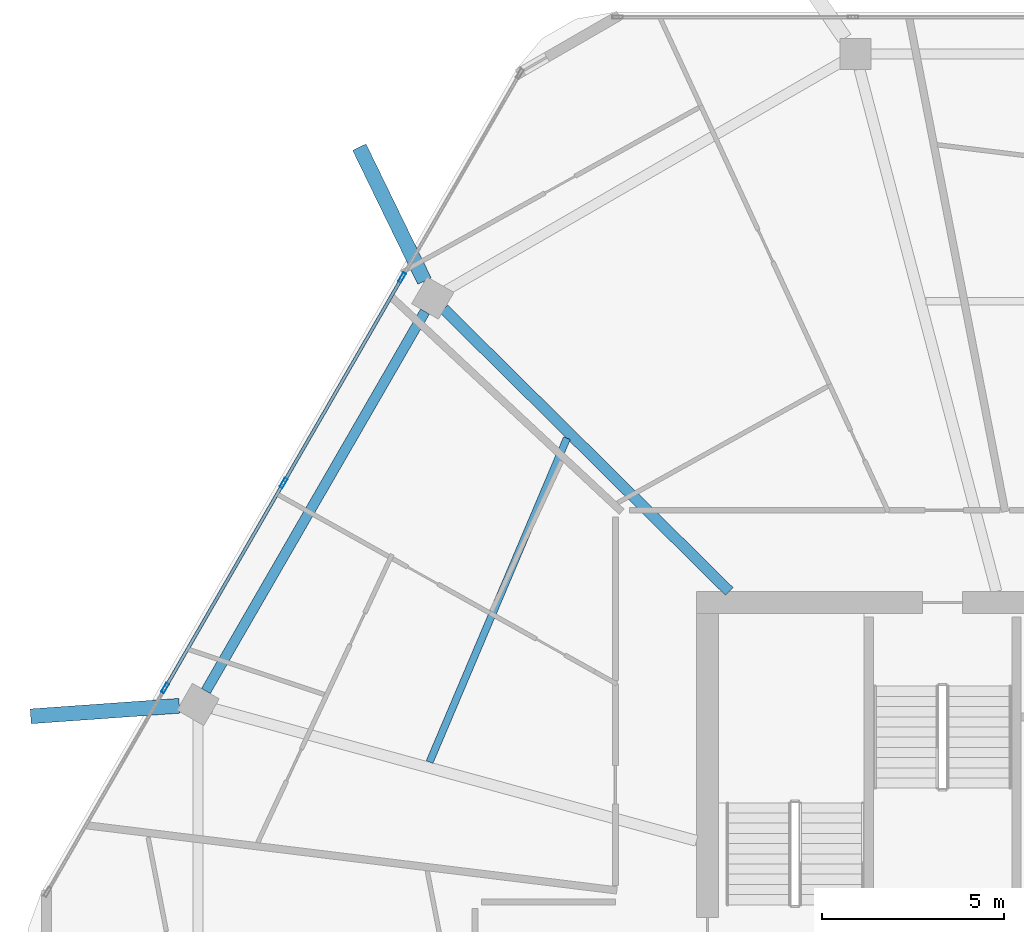
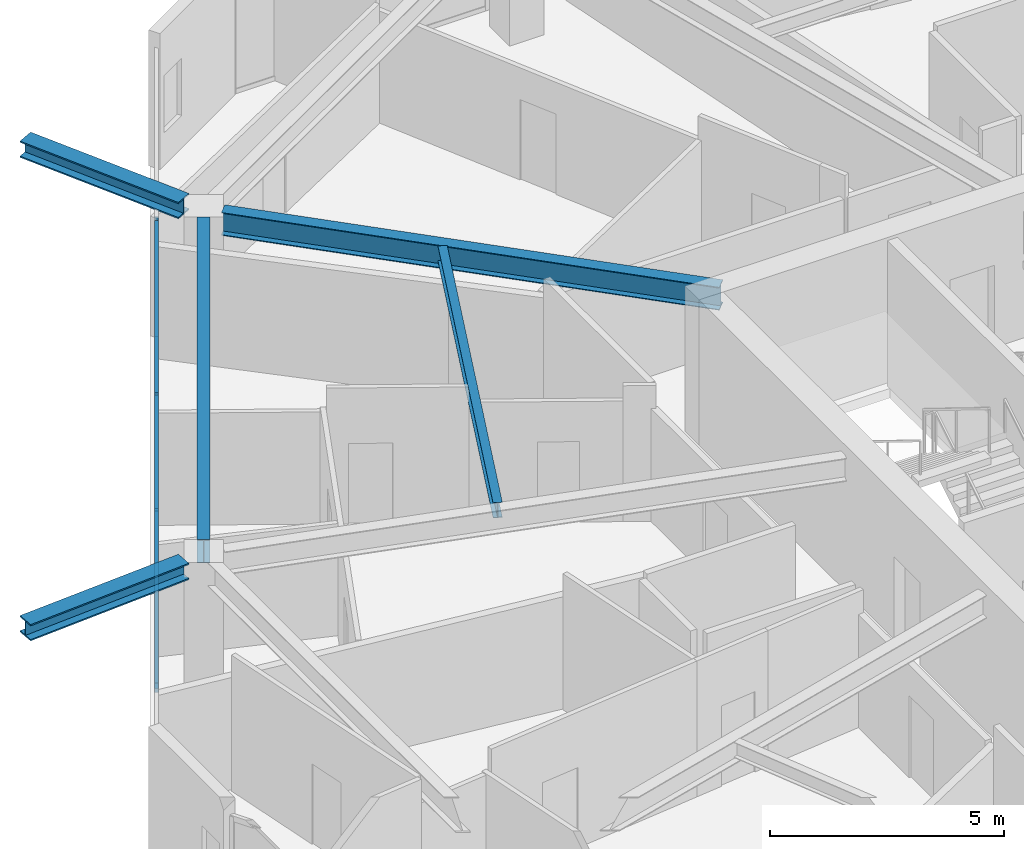
# One storey, part 11 of 26: 7 members, 5 beams, 1 element without a shape of its own.
"""IFC4 building model written with IfcOpenShell, lengths in metres."""

from ifc_helpers import new_model, si_unit, direction, frame, origin, origin_2d, place, context, subcontext, project, spatial, hollow_rectangle, i_section, extrude, material, material_profile, profile_set, type_object, element, aggregate, save


model = new_model("IFC4")

# Units and contexts
model_context = context("Model", 3, precision=1e-05, world=origin(), true_north=direction((0.0, 1.0)))
body_context = subcontext(model_context, "Body", "Model", "MODEL_VIEW")
ifc_project = project(units=[si_unit("LENGTHUNIT", "METRE"), si_unit("AREAUNIT", "SQUARE_METRE"), si_unit("VOLUMEUNIT", "CUBIC_METRE"), si_unit("PLANEANGLEUNIT", "RADIAN"), si_unit("MASSUNIT", "GRAM", prefix="KILO")], contexts=[model_context])

# Site, building, storey
site_placement = place(None, origin())
site = spatial("IfcSite", under=ifc_project, at=site_placement, CompositionType="ELEMENT")
building_placement = place(site_placement, origin())
building = spatial("IfcBuilding", under=site, at=building_placement, Name="Zuhravey Tower", CompositionType="ELEMENT")
storey_placement = place(building_placement, frame((0.0, 0.0, 273.0)))
storey = spatial("IfcBuildingStorey", under=building, at=storey_placement, Name="L69", CompositionType="ELEMENT", Elevation=273.0)

# Curtain wall, members
ifc_material_1 = material(Name="Thermally broken anodised aluminium", Category="aluminium")
curtain_wall_type = type_object("IfcCurtainWallType", Name="Zone 3-4 High-Rise Curtain Wall CW4", PredefinedType="NOTDEFINED", material=ifc_material_1)
curtain_wall_placement = place(storey_placement, origin())
curtain_wall = element("IfcCurtainWall", 1, at=curtain_wall_placement, inside=storey, type_object=curtain_wall_type, Name="L69 CW4 CW-L69-F3-1", PredefinedType="NOTDEFINED")
ifc_material_2 = material(Name="Anodised aluminium", Category="aluminium")
ifc_material_profile_1 = material_profile(ifc_material_2, hollow_rectangle(XDim=0.090087890625, YDim=0.284912109375, WallThickness=0.0048828125, at=origin_2d()), Name="ALU-RHS-90x285x5")
ifc_profile_set_1 = profile_set([ifc_material_profile_1], Name="Anodised aluminium")
member_type_1 = type_object("IfcMemberType", Name="Curtain-Wall Mullion 90x180", PredefinedType="MULLION", material=ifc_profile_set_1)
member_1_placement = place(storey_placement, frame((10.608154296875, 39.147216796875, 0.0), z_axis=(0.0, 0.0, 1.0), x_axis=(-0.866024851021, 0.500000957414, 0.0)))
member_1 = element("IfcMember", 2, at=member_1_placement, type_object=member_type_1, Name="CW4 mullion 2", PredefinedType="MULLION", context=body_context, shape_type="SweptSolid", body=[
    extrude(hollow_rectangle(XDim=0.090087890625, YDim=0.284912109375, WallThickness=0.0048828125, at=origin_2d()), origin(), (0.0, 0.0, 1.0), 3.1220703125),
])
member_2_placement = place(storey_placement, frame((13.861328125, 44.78173828125, 0.0), z_axis=(0.0, 0.0, 1.0), x_axis=(-0.866024851021, 0.500000957414, 0.0)))
member_2 = element("IfcMember", 3, at=member_2_placement, type_object=member_type_1, Name="CW4 mullion 3", PredefinedType="MULLION", context=body_context, shape_type="SweptSolid", body=[
    extrude(hollow_rectangle(XDim=0.090087890625, YDim=0.284912109375, WallThickness=0.0048828125, at=origin_2d()), origin(), (0.0, 0.0, 1.0), 3.1220703125),
])
member_3_placement = place(storey_placement, frame((17.114501953125, 50.41650390625, 0.0), z_axis=(0.0, 0.0, 1.0), x_axis=(-0.866024851021, 0.500000957414, 0.0)))
member_3 = element("IfcMember", 4, at=member_3_placement, type_object=member_type_1, Name="CW4 mullion 4", PredefinedType="MULLION", context=body_context, shape_type="SweptSolid", body=[
    extrude(hollow_rectangle(XDim=0.090087890625, YDim=0.284912109375, WallThickness=0.0048828125, at=origin_2d()), origin(), (0.0, 0.0, 1.0), 3.1220703125),
])
ifc_material_profile_2 = material_profile(ifc_material_2, hollow_rectangle(XDim=0.090087890625, YDim=0.14990234375, WallThickness=0.0048828125, at=origin_2d()), Name="ALU-RHS-90x150x5")
ifc_profile_set_2 = profile_set([ifc_material_profile_2], Name="Anodised aluminium")
member_type_2 = type_object("IfcMemberType", Name="Curtain-Wall Transom 90x150", PredefinedType="USERDEFINED", material=ifc_profile_set_2)
member_4_placement = place(storey_placement, frame((10.630615234375, 39.18603515625, 0.044921875), z_axis=(0.499998017366, 0.866026548456, 0.0), x_axis=(-0.866026548456, 0.499998017366, 0.0)))
member_4 = element("IfcMember", 5, at=member_4_placement, type_object=member_type_2, Name="CW4 transom 2.1", ObjectType="TRANSOM", PredefinedType="USERDEFINED", context=body_context, shape_type="SweptSolid", body=[
    extrude(hollow_rectangle(XDim=0.090087890625, YDim=0.14990234375, WallThickness=0.0048828125, at=origin_2d()), origin(), (0.0, 0.0, 1.0), 6.41650390625),
])
member_5_placement = place(storey_placement, frame((10.630615234375, 39.18603515625, 3.076904296875), z_axis=(0.499998017366, 0.866026548456, 0.0), x_axis=(-0.866026548456, 0.499998017366, 0.0)))
member_5 = element("IfcMember", 6, at=member_5_placement, type_object=member_type_2, Name="CW4 transom 2.2", ObjectType="TRANSOM", PredefinedType="USERDEFINED", context=body_context, shape_type="SweptSolid", body=[
    extrude(hollow_rectangle(XDim=0.090087890625, YDim=0.14990234375, WallThickness=0.0048828125, at=origin_2d()), origin(), (0.0, 0.0, 1.0), 6.41650390625),
])
member_6_placement = place(storey_placement, frame((13.8837890625, 44.82080078125, 0.044921875), z_axis=(0.500014493347, 0.866017035885, 0.0), x_axis=(-0.866017035885, 0.500014493347, 0.0)))
member_6 = element("IfcMember", 7, at=member_6_placement, type_object=member_type_2, Name="CW4 transom 3.1", ObjectType="TRANSOM", PredefinedType="USERDEFINED", context=body_context, shape_type="SweptSolid", body=[
    extrude(hollow_rectangle(XDim=0.090087890625, YDim=0.14990234375, WallThickness=0.0048828125, at=origin_2d()), origin(), (0.0, 0.0, 1.0), 6.416259765625),
])
member_7_placement = place(storey_placement, frame((13.8837890625, 44.82080078125, 3.076904296875), z_axis=(0.500014493347, 0.866017035885, 0.0), x_axis=(-0.866017035885, 0.500014493347, 0.0)))
member_7 = element("IfcMember", 8, at=member_7_placement, type_object=member_type_2, Name="CW4 transom 3.2", ObjectType="TRANSOM", PredefinedType="USERDEFINED", context=body_context, shape_type="SweptSolid", body=[
    extrude(hollow_rectangle(XDim=0.090087890625, YDim=0.14990234375, WallThickness=0.0048828125, at=origin_2d()), origin(), (0.0, 0.0, 1.0), 6.416259765625),
])
aggregate(curtain_wall, [member_1, member_2, member_3, member_4, member_5, member_6, member_7])

# Beams
ifc_material_3 = material(Name="Steel SM460", Category="steel")
ifc_material_profile_3 = material_profile(ifc_material_3, i_section(OverallWidth=0.406982421875, OverallDepth=0.427978515625, WebThickness=0.02001953125, FlangeThickness=0.034912109375, at=origin_2d()), Name="H-428x407x20x35")
ifc_profile_set_3 = profile_set([ifc_material_profile_3], Name="Steel SM460")
beam_type_1 = type_object("IfcBeamType", Name="Exoskeleton Node Tie Beam H428x407", PredefinedType="BEAM", material=ifc_profile_set_3)
for number, where, z_axis, x_axis, name in (
    (9, (17.730224609375, 50.319580078125, 3.3359375), (-0.437614415543, 0.899162734609, 0.0), (-0.899162734609, -0.437614415543, 0.0), "L69 Exoskeleton Node Tie NT1-05"),
    (10, (10.999755859375, 38.662353515625, 3.3359375), (-0.997503944526, -0.070610768692, 0.0), (0.070610768692, -0.997503944526, 0.0), "L69 Exoskeleton Node Tie NT1-06"),
):
    element("IfcBeam", number, at=place(storey_placement, frame(where, z_axis=z_axis, x_axis=x_axis)), inside=storey, type_object=beam_type_1, Name=name, PredefinedType="BEAM", context=body_context, shape_type="SweptSolid", body=[
        extrude(i_section(OverallWidth=0.406982421875, OverallDepth=0.427978515625, WebThickness=0.02001953125, FlangeThickness=0.034912109375, at=origin_2d()), origin(), (0.0, 0.0, 1.0), 4.09033203125),
    ])
ifc_material_4 = material(Name="Steel SM355", Category="steel")
ifc_material_profile_4 = material_profile(ifc_material_4, i_section(OverallWidth=0.280029296875, OverallDepth=0.6201171875, WebThickness=0.011962890625, FlangeThickness=0.02001953125, at=origin_2d()), Name="H-620x280x12x20")
ifc_profile_set_4 = profile_set([ifc_material_profile_4], Name="Steel SM355")
beam_type_2 = type_object("IfcBeamType", Name="Perimeter Ring Beam H620x280", PredefinedType="BEAM", material=ifc_profile_set_4)
beam_1_placement = place(storey_placement, frame((17.742431640625, 49.484130859375, 3.239990234375), z_axis=(-0.500005971936, -0.866021955858, 0.0), x_axis=(0.866021955858, -0.500005971936, 0.0)))
element("IfcBeam", 11, at=beam_1_placement, inside=storey, type_object=beam_type_2, Name="L69 PB3 BM-L69-PB-05", PredefinedType="BEAM", context=body_context, shape_type="SweptSolid", body=[
    extrude(i_section(OverallWidth=0.280029296875, OverallDepth=0.6201171875, WebThickness=0.011962890625, FlangeThickness=0.02001953125, at=origin_2d()), origin(), (0.0, 0.0, 1.0), 12.025634765625),
])
ifc_material_profile_5 = material_profile(ifc_material_4, i_section(OverallWidth=0.300048828125, OverallDepth=0.60009765625, WebThickness=0.011962890625, FlangeThickness=0.02001953125, at=origin_2d()), Name="H-600x300x12x20")
ifc_profile_set_5 = profile_set([ifc_material_profile_5], Name="Steel SM355")
beam_type_3 = type_object("IfcBeamType", Name="Radial Primary Girder H600x300", PredefinedType="BEAM", material=ifc_profile_set_5)
beam_2_placement = place(storey_placement, frame((26.09326171875, 41.802978515625, 3.25), z_axis=(-0.710808169267, 0.70338591577, 0.0), x_axis=(-0.70338591577, -0.710808169267, 0.0)))
element("IfcBeam", 12, at=beam_2_placement, inside=storey, type_object=beam_type_3, Name="L69 RG3 BM-L69-RAD-05", PredefinedType="BEAM", context=body_context, shape_type="SweptSolid", body=[
    extrude(i_section(OverallWidth=0.300048828125, OverallDepth=0.60009765625, WebThickness=0.011962890625, FlangeThickness=0.02001953125, at=origin_2d()), origin(), (0.0, 0.0, 1.0), 11.019287109375),
])
ifc_material_profile_6 = material_profile(ifc_material_4, i_section(OverallWidth=0.199951171875, OverallDepth=0.39990234375, WebThickness=0.008056640625, FlangeThickness=0.012939453125, at=origin_2d()), Name="H-400x200x8x13")
ifc_profile_set_6 = profile_set([ifc_material_profile_6], Name="Steel SM355")
beam_type_4 = type_object("IfcBeamType", Name="Secondary Floor Joist H400x200", PredefinedType="JOIST", material=ifc_profile_set_6)
beam_3_placement = place(storey_placement, frame((21.63916015625, 46.009033203125, 3.35009765625), z_axis=(-0.390413493754, -0.920639616731, 0.0), x_axis=(0.920639616731, -0.390413493754, 0.0)))
element("IfcBeam", 13, at=beam_3_placement, inside=storey, type_object=beam_type_4, Name="L69 SJ2 BM-L69-SJ-05-1", PredefinedType="JOIST", context=body_context, shape_type="SweptSolid", body=[
    extrude(i_section(OverallWidth=0.199951171875, OverallDepth=0.39990234375, WebThickness=0.008056640625, FlangeThickness=0.012939453125, at=origin_2d()), origin(), (0.0, 0.0, 1.0), 9.656494140625),
])

save(model, "model.ifc")
